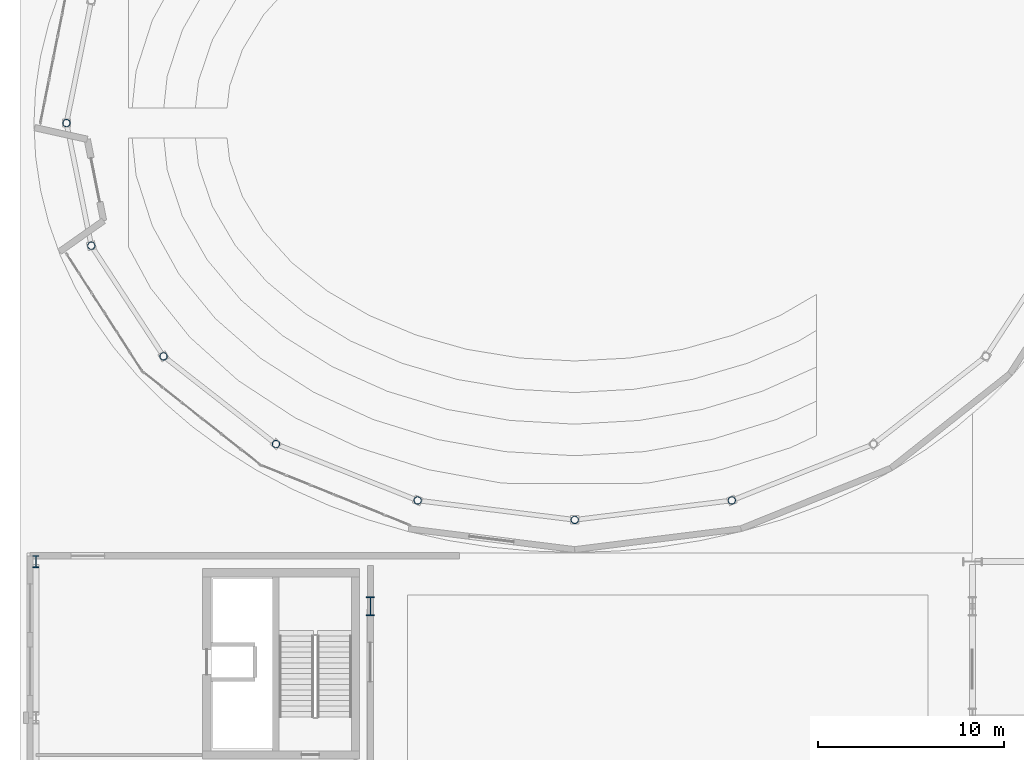
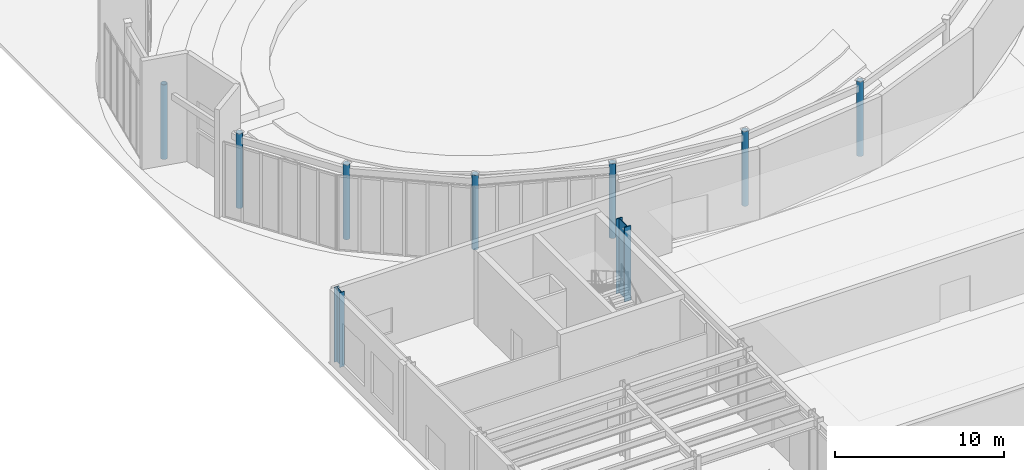
# One storey, part 7 of 94: 9 columns.
"""IFC4 building model written with IfcOpenShell, lengths in metres."""

from ifc_helpers import new_model, si_unit, direction, frame, origin, origin_2d, place, context, subcontext, project, spatial, hollow_circle, i_section, extrude, material, material_profile, profile_set, type_object, element, save


model = new_model("IFC4")

# Units and contexts
model_context = context("Model", 3, precision=1e-05, world=origin(), true_north=direction((0.0, 1.0)))
body_context = subcontext(model_context, "Body", "Model", "MODEL_VIEW")
ifc_project = project(units=[si_unit("LENGTHUNIT", "METRE"), si_unit("AREAUNIT", "SQUARE_METRE"), si_unit("VOLUMEUNIT", "CUBIC_METRE"), si_unit("PLANEANGLEUNIT", "RADIAN"), si_unit("MASSUNIT", "GRAM", prefix="KILO")], contexts=[model_context])

# Site, building, storey
site_placement = place(None, origin())
site = spatial("IfcSite", under=ifc_project, at=site_placement, CompositionType="ELEMENT")
building_placement = place(site_placement, origin())
building = spatial("IfcBuilding", under=site, at=building_placement, Name="Sollismere Congress Hotel", CompositionType="ELEMENT")
storey_placement = place(building_placement, origin())
storey = spatial("IfcBuildingStorey", under=building, at=storey_placement, Name="L00", CompositionType="ELEMENT", Elevation=0.0)

# Columns
ifc_material_1 = material(Name="Steel ASTM A500 Grade C", Category="steel")
ifc_material_profile_1 = material_profile(ifc_material_1, hollow_circle(Radius=0.202880859375, WallThickness=0.01611328125, at=origin_2d()), Name="CHS406X16")
ifc_profile_set_1 = profile_set([ifc_material_profile_1], Name="Steel ASTM A500 Grade C")
column_type_1 = type_object("IfcColumnType", Name="COL-CHS406I", PredefinedType="COLUMN", material=ifc_profile_set_1)
for number, where, z_axis, x_axis, name in (
    (1, (1.64990234375, 90.39990234375, 0.0), (0.0, 0.0, 1.0), (-1.0, 0.0, 0.0), "Column CL-L00-1188"),
    (2, (2.988525390625, 83.802490234375, 0.0), (0.0, 0.0, 1.0), (-0.969316774365, -0.245814952628, 0.0), "Column CL-L00-1192"),
    (3, (6.873291015625, 77.850830078125, 0.0), (0.0, 0.0, 1.0), (-0.869839554062, -0.493334724289, 0.0), "Column CL-L00-1196"),
    (4, (12.924072265625, 73.12744140625, 0.0), (0.0, 0.0, 1.0), (-0.681359873953, -0.731948578909, 0.0), "Column CL-L00-1200"),
    (5, (20.54833984375, 70.094970703125, 0.0), (0.0, 0.0, 1.0), (-0.38429532266, -0.923210217113, 0.0), "Column CL-L00-1204"),
    (6, (29.0, 69.050048828125, 0.0), (0.0, 0.0, 1.0), (0.0, -1.0, 0.0), "Column CL-L00-1208"),
    (7, (37.45166015625, 70.094970703125, 0.0), (0.0, 0.0, 1.0), (0.38429532266, -0.923210217113, 0.0), "Column CL-L00-1212"),
):
    element("IfcColumn", number, at=place(storey_placement, frame(where, z_axis=z_axis, x_axis=x_axis)), inside=storey, type_object=column_type_1, Name=name, PredefinedType="COLUMN", context=body_context, shape_type="SweptSolid", body=[
        extrude(hollow_circle(Radius=0.202880859375, WallThickness=0.01611328125, at=origin_2d()), origin(), (0.0, 0.0, 1.0), 5.39990234375),
    ])
ifc_material_2 = material(Name="Steel ASTM A992 Grade 50", Category="steel")
ifc_material_profile_2 = material_profile(ifc_material_2, i_section(OverallWidth=0.3330078125, OverallDepth=0.659912109375, WebThickness=0.0244140625, FlangeThickness=0.0439453125, at=origin_2d()), Name="W24X229")
ifc_profile_set_2 = profile_set([ifc_material_profile_2], Name="Steel ASTM A992 Grade 50")
column_type_2 = type_object("IfcColumnType", Name="COL-W24", PredefinedType="COLUMN", material=ifc_profile_set_2)
column_1_placement = place(storey_placement, frame((0.0, 66.800048828125, 0.0), z_axis=(0.0, 0.0, 1.0), x_axis=(1.0, 0.0, 0.0)))
element("IfcColumn", 8, at=column_1_placement, inside=storey, type_object=column_type_2, Name="Column CL-L00-030", PredefinedType="COLUMN", context=body_context, shape_type="SweptSolid", body=[
    extrude(i_section(OverallWidth=0.3330078125, OverallDepth=0.659912109375, WebThickness=0.0244140625, FlangeThickness=0.0439453125, at=origin_2d()), origin(), (0.0, 0.0, 1.0), 5.39990234375),
])
ifc_material_profile_3 = material_profile(ifc_material_2, i_section(OverallWidth=0.427001953125, OverallDepth=1.041015625, WebThickness=0.031005859375, FlangeThickness=0.055908203125, at=origin_2d()), Name="W40X397")
ifc_profile_set_3 = profile_set([ifc_material_profile_3], Name="Steel ASTM A992 Grade 50")
column_type_3 = type_object("IfcColumnType", Name="COL-W40", PredefinedType="COLUMN", material=ifc_profile_set_3)
column_2_placement = place(storey_placement, frame((18.0, 64.39990234375, 0.0), z_axis=(0.0, 0.0, 1.0), x_axis=(1.0, 0.0, 0.0)))
element("IfcColumn", 9, at=column_2_placement, inside=storey, type_object=column_type_3, Name="Column CL-L00-1139", PredefinedType="COLUMN", context=body_context, shape_type="SweptSolid", body=[
    extrude(i_section(OverallWidth=0.427001953125, OverallDepth=1.041015625, WebThickness=0.031005859375, FlangeThickness=0.055908203125, at=origin_2d()), origin(), (0.0, 0.0, 1.0), 5.39990234375),
])

save(model, "model.ifc")
